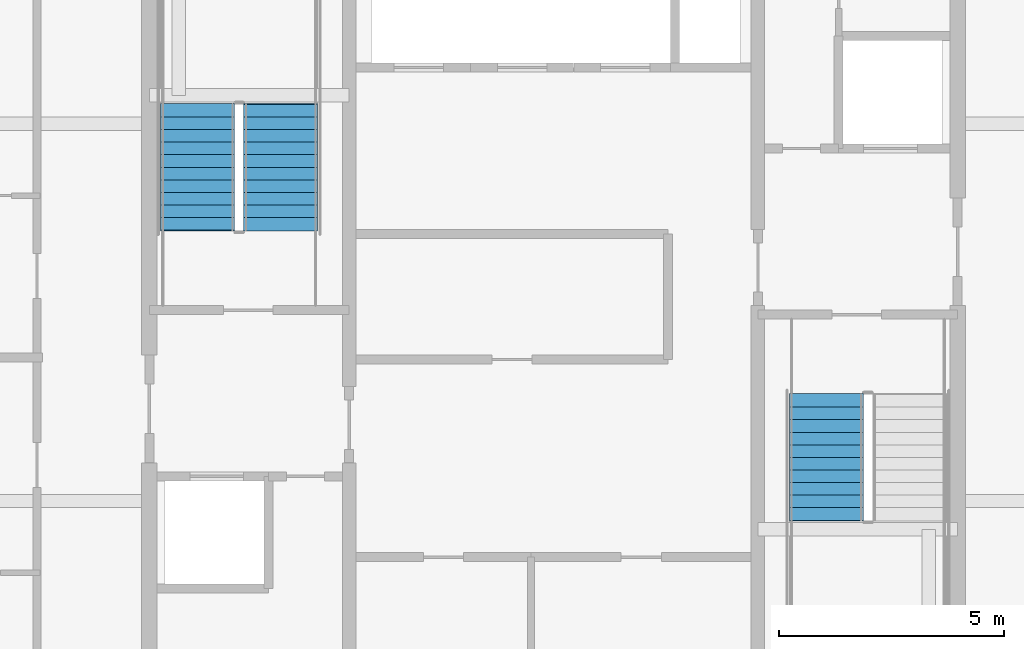
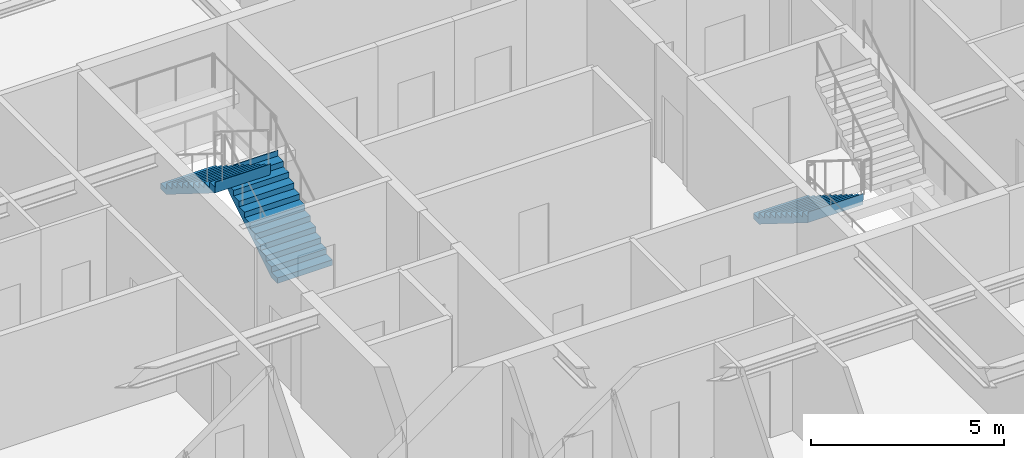
# One storey, part 32 of 38: 3 stair flights, 2 elements without a shape of their own.
"""IFC4 building model written with IfcOpenShell, lengths in metres."""

from ifc_helpers import new_model, si_unit, direction, frame, origin, place, context, subcontext, project, spatial, polygons, material, type_object, element, aggregate, save


model = new_model("IFC4")

# Units and contexts
model_context = context("Model", 3, precision=1e-05, world=origin(), true_north=direction((0.0, 1.0)))
body_context = subcontext(model_context, "Body", "Model", "MODEL_VIEW")
ifc_project = project(units=[si_unit("LENGTHUNIT", "METRE"), si_unit("AREAUNIT", "SQUARE_METRE"), si_unit("VOLUMEUNIT", "CUBIC_METRE"), si_unit("PLANEANGLEUNIT", "RADIAN"), si_unit("MASSUNIT", "GRAM", prefix="KILO")], contexts=[model_context])

# Site, building, storey
site_placement = place(None, origin())
site = spatial("IfcSite", under=ifc_project, at=site_placement, CompositionType="ELEMENT")
building_placement = place(site_placement, origin())
building = spatial("IfcBuilding", under=site, at=building_placement, Name="Serunith Strait Residences", CompositionType="ELEMENT")
storey_placement = place(building_placement, frame((0.0, 0.0, 268.199951171875)))
storey = spatial("IfcBuildingStorey", under=building, at=storey_placement, Name="L67", CompositionType="ELEMENT", Elevation=268.199951171875)

# Stair, stair flights
ifc_material = material(Name="Concrete C50/60", Category="concrete")
stair_type_1 = type_object("IfcStairType", Name="STR-CORE-1", PredefinedType="HALF_TURN_STAIR", material=ifc_material)
stair_1_placement = place(storey_placement, origin())
stair_1 = element("IfcStair", 1, at=stair_1_placement, inside=storey, type_object=stair_type_1, Name="L67 Protected Escape Stair ST-1", PredefinedType="HALF_TURN_STAIR")
stair_flight_type_1 = type_object("IfcStairFlightType", Name="FLT-CORE-1", PredefinedType="STRAIGHT", material=ifc_material)
stair_flight_1_placement = place(storey_placement, frame((26.324951171875, 27.030029296875, 0.0), z_axis=(0.0, 0.0, 1.0), x_axis=(0.0, 1.0, 0.0)))
stair_flight_1 = element("IfcStairFlight", 2, at=stair_flight_1_placement, type_object=stair_flight_type_1, Name="ST-1 flight 1", NumberOfRisers=11, NumberOfTreads=10, PredefinedType="STRAIGHT", RiserHeight=0.175, TreadLength=0.28, context=body_context, shape_type="Tessellation", body=[
    polygons([(-0.02001953125, -0.824951171875, 0.0), (-0.02001953125, -0.824951171875, 0.175048828125), (0.280029296875, -0.824951171875, 0.175048828125), (0.280029296875, -0.824951171875, 0.35009765625), (0.56005859375, -0.824951171875, 0.35009765625), (0.56005859375, -0.824951171875, 0.52490234375), (0.840087890625, -0.824951171875, 0.52490234375), (0.840087890625, -0.824951171875, 0.699951171875), (1.1201171875, -0.824951171875, 0.699951171875), (1.1201171875, -0.824951171875, 0.875), (1.39990234375, -0.824951171875, 0.875), (1.39990234375, -0.824951171875, 1.050048828125), (1.679931640625, -0.824951171875, 1.050048828125), (1.679931640625, -0.824951171875, 1.22509765625), (1.9599609375, -0.824951171875, 1.22509765625), (1.9599609375, -0.824951171875, 1.39990234375), (2.239990234375, -0.824951171875, 1.39990234375), (2.239990234375, -0.824951171875, 1.574951171875), (2.52001953125, -0.824951171875, 1.574951171875), (2.52001953125, -0.824951171875, 1.75), (2.800048828125, -0.824951171875, 1.75), (2.800048828125, -0.824951171875, 1.925048828125), (2.820068359375, -0.824951171875, 1.925048828125), (2.820068359375, -0.824951171875, 1.864990234375), (2.800048828125, -0.824951171875, 1.5732421875), (0.28271484375, -0.824951171875, 0.0), (-0.02001953125, -0.41259765625, 0.0), (-0.02001953125, -0.41259765625, 0.175048828125), (0.280029296875, -0.41259765625, 0.175048828125), (0.280029296875, -0.41259765625, 0.35009765625), (0.56005859375, -0.41259765625, 0.35009765625), (0.56005859375, -0.41259765625, 0.52490234375), (0.840087890625, -0.41259765625, 0.52490234375), (0.840087890625, -0.41259765625, 0.699951171875), (1.1201171875, -0.41259765625, 0.699951171875), (1.1201171875, -0.41259765625, 0.875), (1.39990234375, -0.41259765625, 0.875), (1.39990234375, -0.41259765625, 1.050048828125), (1.679931640625, -0.41259765625, 1.050048828125), (1.679931640625, -0.41259765625, 1.22509765625), (1.9599609375, -0.41259765625, 1.22509765625), (1.9599609375, -0.41259765625, 1.39990234375), (2.239990234375, -0.41259765625, 1.39990234375), (2.239990234375, -0.41259765625, 1.574951171875), (2.52001953125, -0.41259765625, 1.574951171875), (2.52001953125, -0.41259765625, 1.75), (2.800048828125, -0.41259765625, 1.75), (2.800048828125, -0.41259765625, 1.925048828125), (2.820068359375, -0.41259765625, 1.925048828125), (2.820068359375, -0.41259765625, 1.864990234375), (2.800048828125, -0.41259765625, 1.5732421875), (0.28271484375, -0.41259765625, 0.0), (-0.02001953125, 0.0, 0.0), (-0.02001953125, 0.0, 0.175048828125), (0.280029296875, 0.0, 0.175048828125), (0.280029296875, 0.0, 0.35009765625), (0.56005859375, 0.0, 0.35009765625), (0.56005859375, 0.0, 0.52490234375), (0.840087890625, 0.0, 0.52490234375), (0.840087890625, 0.0, 0.699951171875), (1.1201171875, 0.0, 0.699951171875), (1.1201171875, 0.0, 0.875), (1.39990234375, 0.0, 0.875), (1.39990234375, 0.0, 1.050048828125), (1.679931640625, 0.0, 1.050048828125), (1.679931640625, 0.0, 1.22509765625), (1.9599609375, 0.0, 1.22509765625), (1.9599609375, 0.0, 1.39990234375), (2.239990234375, 0.0, 1.39990234375), (2.239990234375, 0.0, 1.574951171875), (2.52001953125, 0.0, 1.574951171875), (2.52001953125, 0.0, 1.75), (2.800048828125, 0.0, 1.75), (2.800048828125, 0.0, 1.925048828125), (2.820068359375, 0.0, 1.925048828125), (2.820068359375, 0.0, 1.864990234375), (2.800048828125, 0.0, 1.5732421875), (0.28271484375, 0.0, 0.0), (-0.02001953125, 0.41259765625, 0.0), (-0.02001953125, 0.41259765625, 0.175048828125), (0.280029296875, 0.41259765625, 0.175048828125), (0.280029296875, 0.41259765625, 0.35009765625), (0.56005859375, 0.41259765625, 0.35009765625), (0.56005859375, 0.41259765625, 0.52490234375), (0.840087890625, 0.41259765625, 0.52490234375), (0.840087890625, 0.41259765625, 0.699951171875), (1.1201171875, 0.41259765625, 0.699951171875), (1.1201171875, 0.41259765625, 0.875), (1.39990234375, 0.41259765625, 0.875), (1.39990234375, 0.41259765625, 1.050048828125), (1.679931640625, 0.41259765625, 1.050048828125), (1.679931640625, 0.41259765625, 1.22509765625), (1.9599609375, 0.41259765625, 1.22509765625), (1.9599609375, 0.41259765625, 1.39990234375), (2.239990234375, 0.41259765625, 1.39990234375), (2.239990234375, 0.41259765625, 1.574951171875), (2.52001953125, 0.41259765625, 1.574951171875), (2.52001953125, 0.41259765625, 1.75), (2.800048828125, 0.41259765625, 1.75), (2.800048828125, 0.41259765625, 1.925048828125), (2.820068359375, 0.41259765625, 1.925048828125), (2.820068359375, 0.41259765625, 1.864990234375), (2.800048828125, 0.41259765625, 1.5732421875), (0.28271484375, 0.41259765625, 0.0), (-0.02001953125, 0.824951171875, 0.0), (-0.02001953125, 0.824951171875, 0.175048828125), (0.280029296875, 0.824951171875, 0.175048828125), (0.280029296875, 0.824951171875, 0.35009765625), (0.56005859375, 0.824951171875, 0.35009765625), (0.56005859375, 0.824951171875, 0.52490234375), (0.840087890625, 0.824951171875, 0.52490234375), (0.840087890625, 0.824951171875, 0.699951171875), (1.1201171875, 0.824951171875, 0.699951171875), (1.1201171875, 0.824951171875, 0.875), (1.39990234375, 0.824951171875, 0.875), (1.39990234375, 0.824951171875, 1.050048828125), (1.679931640625, 0.824951171875, 1.050048828125), (1.679931640625, 0.824951171875, 1.22509765625), (1.9599609375, 0.824951171875, 1.22509765625), (1.9599609375, 0.824951171875, 1.39990234375), (2.239990234375, 0.824951171875, 1.39990234375), (2.239990234375, 0.824951171875, 1.574951171875), (2.52001953125, 0.824951171875, 1.574951171875), (2.52001953125, 0.824951171875, 1.75), (2.800048828125, 0.824951171875, 1.75), (2.800048828125, 0.824951171875, 1.925048828125), (2.820068359375, 0.824951171875, 1.925048828125), (2.820068359375, 0.824951171875, 1.864990234375), (2.800048828125, 0.824951171875, 1.5732421875), (0.28271484375, 0.824951171875, 0.0)], [[[1, 2, 28, 27]], [[2, 3, 29, 28]], [[3, 4, 30, 29]], [[4, 5, 31, 30]], [[5, 6, 32, 31]], [[6, 7, 33, 32]], [[7, 8, 34, 33]], [[8, 9, 35, 34]], [[9, 10, 36, 35]], [[10, 11, 37, 36]], [[11, 12, 38, 37]], [[12, 13, 39, 38]], [[13, 14, 40, 39]], [[14, 15, 41, 40]], [[15, 16, 42, 41]], [[16, 17, 43, 42]], [[17, 18, 44, 43]], [[18, 19, 45, 44]], [[19, 20, 46, 45]], [[20, 21, 47, 46]], [[21, 22, 48, 47]], [[22, 23, 49, 48]], [[23, 24, 50, 49]], [[24, 25, 51, 50]], [[25, 26, 52, 51]], [[26, 1, 27, 52]], [[27, 28, 54, 53]], [[28, 29, 55, 54]], [[29, 30, 56, 55]], [[30, 31, 57, 56]], [[31, 32, 58, 57]], [[32, 33, 59, 58]], [[33, 34, 60, 59]], [[34, 35, 61, 60]], [[35, 36, 62, 61]], [[36, 37, 63, 62]], [[37, 38, 64, 63]], [[38, 39, 65, 64]], [[39, 40, 66, 65]], [[40, 41, 67, 66]], [[41, 42, 68, 67]], [[42, 43, 69, 68]], [[43, 44, 70, 69]], [[44, 45, 71, 70]], [[45, 46, 72, 71]], [[46, 47, 73, 72]], [[47, 48, 74, 73]], [[48, 49, 75, 74]], [[49, 50, 76, 75]], [[50, 51, 77, 76]], [[51, 52, 78, 77]], [[52, 27, 53, 78]], [[53, 54, 80, 79]], [[54, 55, 81, 80]], [[55, 56, 82, 81]], [[56, 57, 83, 82]], [[57, 58, 84, 83]], [[58, 59, 85, 84]], [[59, 60, 86, 85]], [[60, 61, 87, 86]], [[61, 62, 88, 87]], [[62, 63, 89, 88]], [[63, 64, 90, 89]], [[64, 65, 91, 90]], [[65, 66, 92, 91]], [[66, 67, 93, 92]], [[67, 68, 94, 93]], [[68, 69, 95, 94]], [[69, 70, 96, 95]], [[70, 71, 97, 96]], [[71, 72, 98, 97]], [[72, 73, 99, 98]], [[73, 74, 100, 99]], [[74, 75, 101, 100]], [[75, 76, 102, 101]], [[76, 77, 103, 102]], [[77, 78, 104, 103]], [[78, 53, 79, 104]], [[79, 80, 106, 105]], [[80, 81, 107, 106]], [[81, 82, 108, 107]], [[82, 83, 109, 108]], [[83, 84, 110, 109]], [[84, 85, 111, 110]], [[85, 86, 112, 111]], [[86, 87, 113, 112]], [[87, 88, 114, 113]], [[88, 89, 115, 114]], [[89, 90, 116, 115]], [[90, 91, 117, 116]], [[91, 92, 118, 117]], [[92, 93, 119, 118]], [[93, 94, 120, 119]], [[94, 95, 121, 120]], [[95, 96, 122, 121]], [[96, 97, 123, 122]], [[97, 98, 124, 123]], [[98, 99, 125, 124]], [[99, 100, 126, 125]], [[100, 101, 127, 126]], [[101, 102, 128, 127]], [[102, 103, 129, 128]], [[103, 104, 130, 129]], [[104, 79, 105, 130]], [[26, 25, 24, 23, 22, 21, 20, 19, 18, 17, 16, 15, 14, 13, 12, 11, 10, 9, 8, 7, 6, 5, 4, 3, 2, 1]], [[105, 106, 107, 108, 109, 110, 111, 112, 113, 114, 115, 116, 117, 118, 119, 120, 121, 122, 123, 124, 125, 126, 127, 128, 129, 130]]], closed=True),
])
stair_flight_2_placement = place(storey_placement, frame((24.47509765625, 29.830078125, 1.925048828125), z_axis=(0.0, 0.0, 1.0), x_axis=(0.0, -1.0, 0.0)))
stair_flight_2 = element("IfcStairFlight", 3, at=stair_flight_2_placement, type_object=stair_flight_type_1, Name="ST-1 flight 2", NumberOfRisers=11, NumberOfTreads=10, PredefinedType="STRAIGHT", RiserHeight=0.175, TreadLength=0.28, context=body_context, shape_type="Tessellation", body=[
    polygons([(-0.02001953125, -0.824951171875, 0.0), (-0.02001953125, -0.824951171875, 0.175048828125), (0.280029296875, -0.824951171875, 0.175048828125), (0.280029296875, -0.824951171875, 0.35009765625), (0.56005859375, -0.824951171875, 0.35009765625), (0.56005859375, -0.824951171875, 0.52490234375), (0.840087890625, -0.824951171875, 0.52490234375), (0.840087890625, -0.824951171875, 0.699951171875), (1.1201171875, -0.824951171875, 0.699951171875), (1.1201171875, -0.824951171875, 0.875), (1.39990234375, -0.824951171875, 0.875), (1.39990234375, -0.824951171875, 1.050048828125), (1.679931640625, -0.824951171875, 1.050048828125), (1.679931640625, -0.824951171875, 1.22509765625), (1.9599609375, -0.824951171875, 1.22509765625), (1.9599609375, -0.824951171875, 1.39990234375), (2.239990234375, -0.824951171875, 1.39990234375), (2.239990234375, -0.824951171875, 1.574951171875), (2.52001953125, -0.824951171875, 1.574951171875), (2.52001953125, -0.824951171875, 1.75), (2.800048828125, -0.824951171875, 1.75), (2.800048828125, -0.824951171875, 1.925048828125), (2.820068359375, -0.824951171875, 1.925048828125), (2.820068359375, -0.824951171875, 1.864990234375), (2.800048828125, -0.824951171875, 1.5732421875), (0.28271484375, -0.824951171875, 0.0), (-0.02001953125, -0.41259765625, 0.0), (-0.02001953125, -0.41259765625, 0.175048828125), (0.280029296875, -0.41259765625, 0.175048828125), (0.280029296875, -0.41259765625, 0.35009765625), (0.56005859375, -0.41259765625, 0.35009765625), (0.56005859375, -0.41259765625, 0.52490234375), (0.840087890625, -0.41259765625, 0.52490234375), (0.840087890625, -0.41259765625, 0.699951171875), (1.1201171875, -0.41259765625, 0.699951171875), (1.1201171875, -0.41259765625, 0.875), (1.39990234375, -0.41259765625, 0.875), (1.39990234375, -0.41259765625, 1.050048828125), (1.679931640625, -0.41259765625, 1.050048828125), (1.679931640625, -0.41259765625, 1.22509765625), (1.9599609375, -0.41259765625, 1.22509765625), (1.9599609375, -0.41259765625, 1.39990234375), (2.239990234375, -0.41259765625, 1.39990234375), (2.239990234375, -0.41259765625, 1.574951171875), (2.52001953125, -0.41259765625, 1.574951171875), (2.52001953125, -0.41259765625, 1.75), (2.800048828125, -0.41259765625, 1.75), (2.800048828125, -0.41259765625, 1.925048828125), (2.820068359375, -0.41259765625, 1.925048828125), (2.820068359375, -0.41259765625, 1.864990234375), (2.800048828125, -0.41259765625, 1.5732421875), (0.28271484375, -0.41259765625, 0.0), (-0.02001953125, 0.0, 0.0), (-0.02001953125, 0.0, 0.175048828125), (0.280029296875, 0.0, 0.175048828125), (0.280029296875, 0.0, 0.35009765625), (0.56005859375, 0.0, 0.35009765625), (0.56005859375, 0.0, 0.52490234375), (0.840087890625, 0.0, 0.52490234375), (0.840087890625, 0.0, 0.699951171875), (1.1201171875, 0.0, 0.699951171875), (1.1201171875, 0.0, 0.875), (1.39990234375, 0.0, 0.875), (1.39990234375, 0.0, 1.050048828125), (1.679931640625, 0.0, 1.050048828125), (1.679931640625, 0.0, 1.22509765625), (1.9599609375, 0.0, 1.22509765625), (1.9599609375, 0.0, 1.39990234375), (2.239990234375, 0.0, 1.39990234375), (2.239990234375, 0.0, 1.574951171875), (2.52001953125, 0.0, 1.574951171875), (2.52001953125, 0.0, 1.75), (2.800048828125, 0.0, 1.75), (2.800048828125, 0.0, 1.925048828125), (2.820068359375, 0.0, 1.925048828125), (2.820068359375, 0.0, 1.864990234375), (2.800048828125, 0.0, 1.5732421875), (0.28271484375, 0.0, 0.0), (-0.02001953125, 0.41259765625, 0.0), (-0.02001953125, 0.41259765625, 0.175048828125), (0.280029296875, 0.41259765625, 0.175048828125), (0.280029296875, 0.41259765625, 0.35009765625), (0.56005859375, 0.41259765625, 0.35009765625), (0.56005859375, 0.41259765625, 0.52490234375), (0.840087890625, 0.41259765625, 0.52490234375), (0.840087890625, 0.41259765625, 0.699951171875), (1.1201171875, 0.41259765625, 0.699951171875), (1.1201171875, 0.41259765625, 0.875), (1.39990234375, 0.41259765625, 0.875), (1.39990234375, 0.41259765625, 1.050048828125), (1.679931640625, 0.41259765625, 1.050048828125), (1.679931640625, 0.41259765625, 1.22509765625), (1.9599609375, 0.41259765625, 1.22509765625), (1.9599609375, 0.41259765625, 1.39990234375), (2.239990234375, 0.41259765625, 1.39990234375), (2.239990234375, 0.41259765625, 1.574951171875), (2.52001953125, 0.41259765625, 1.574951171875), (2.52001953125, 0.41259765625, 1.75), (2.800048828125, 0.41259765625, 1.75), (2.800048828125, 0.41259765625, 1.925048828125), (2.820068359375, 0.41259765625, 1.925048828125), (2.820068359375, 0.41259765625, 1.864990234375), (2.800048828125, 0.41259765625, 1.5732421875), (0.28271484375, 0.41259765625, 0.0), (-0.02001953125, 0.824951171875, 0.0), (-0.02001953125, 0.824951171875, 0.175048828125), (0.280029296875, 0.824951171875, 0.175048828125), (0.280029296875, 0.824951171875, 0.35009765625), (0.56005859375, 0.824951171875, 0.35009765625), (0.56005859375, 0.824951171875, 0.52490234375), (0.840087890625, 0.824951171875, 0.52490234375), (0.840087890625, 0.824951171875, 0.699951171875), (1.1201171875, 0.824951171875, 0.699951171875), (1.1201171875, 0.824951171875, 0.875), (1.39990234375, 0.824951171875, 0.875), (1.39990234375, 0.824951171875, 1.050048828125), (1.679931640625, 0.824951171875, 1.050048828125), (1.679931640625, 0.824951171875, 1.22509765625), (1.9599609375, 0.824951171875, 1.22509765625), (1.9599609375, 0.824951171875, 1.39990234375), (2.239990234375, 0.824951171875, 1.39990234375), (2.239990234375, 0.824951171875, 1.574951171875), (2.52001953125, 0.824951171875, 1.574951171875), (2.52001953125, 0.824951171875, 1.75), (2.800048828125, 0.824951171875, 1.75), (2.800048828125, 0.824951171875, 1.925048828125), (2.820068359375, 0.824951171875, 1.925048828125), (2.820068359375, 0.824951171875, 1.864990234375), (2.800048828125, 0.824951171875, 1.5732421875), (0.28271484375, 0.824951171875, 0.0)], [[[1, 2, 28, 27]], [[2, 3, 29, 28]], [[3, 4, 30, 29]], [[4, 5, 31, 30]], [[5, 6, 32, 31]], [[6, 7, 33, 32]], [[7, 8, 34, 33]], [[8, 9, 35, 34]], [[9, 10, 36, 35]], [[10, 11, 37, 36]], [[11, 12, 38, 37]], [[12, 13, 39, 38]], [[13, 14, 40, 39]], [[14, 15, 41, 40]], [[15, 16, 42, 41]], [[16, 17, 43, 42]], [[17, 18, 44, 43]], [[18, 19, 45, 44]], [[19, 20, 46, 45]], [[20, 21, 47, 46]], [[21, 22, 48, 47]], [[22, 23, 49, 48]], [[23, 24, 50, 49]], [[24, 25, 51, 50]], [[25, 26, 52, 51]], [[26, 1, 27, 52]], [[27, 28, 54, 53]], [[28, 29, 55, 54]], [[29, 30, 56, 55]], [[30, 31, 57, 56]], [[31, 32, 58, 57]], [[32, 33, 59, 58]], [[33, 34, 60, 59]], [[34, 35, 61, 60]], [[35, 36, 62, 61]], [[36, 37, 63, 62]], [[37, 38, 64, 63]], [[38, 39, 65, 64]], [[39, 40, 66, 65]], [[40, 41, 67, 66]], [[41, 42, 68, 67]], [[42, 43, 69, 68]], [[43, 44, 70, 69]], [[44, 45, 71, 70]], [[45, 46, 72, 71]], [[46, 47, 73, 72]], [[47, 48, 74, 73]], [[48, 49, 75, 74]], [[49, 50, 76, 75]], [[50, 51, 77, 76]], [[51, 52, 78, 77]], [[52, 27, 53, 78]], [[53, 54, 80, 79]], [[54, 55, 81, 80]], [[55, 56, 82, 81]], [[56, 57, 83, 82]], [[57, 58, 84, 83]], [[58, 59, 85, 84]], [[59, 60, 86, 85]], [[60, 61, 87, 86]], [[61, 62, 88, 87]], [[62, 63, 89, 88]], [[63, 64, 90, 89]], [[64, 65, 91, 90]], [[65, 66, 92, 91]], [[66, 67, 93, 92]], [[67, 68, 94, 93]], [[68, 69, 95, 94]], [[69, 70, 96, 95]], [[70, 71, 97, 96]], [[71, 72, 98, 97]], [[72, 73, 99, 98]], [[73, 74, 100, 99]], [[74, 75, 101, 100]], [[75, 76, 102, 101]], [[76, 77, 103, 102]], [[77, 78, 104, 103]], [[78, 53, 79, 104]], [[79, 80, 106, 105]], [[80, 81, 107, 106]], [[81, 82, 108, 107]], [[82, 83, 109, 108]], [[83, 84, 110, 109]], [[84, 85, 111, 110]], [[85, 86, 112, 111]], [[86, 87, 113, 112]], [[87, 88, 114, 113]], [[88, 89, 115, 114]], [[89, 90, 116, 115]], [[90, 91, 117, 116]], [[91, 92, 118, 117]], [[92, 93, 119, 118]], [[93, 94, 120, 119]], [[94, 95, 121, 120]], [[95, 96, 122, 121]], [[96, 97, 123, 122]], [[97, 98, 124, 123]], [[98, 99, 125, 124]], [[99, 100, 126, 125]], [[100, 101, 127, 126]], [[101, 102, 128, 127]], [[102, 103, 129, 128]], [[103, 104, 130, 129]], [[104, 79, 105, 130]], [[26, 25, 24, 23, 22, 21, 20, 19, 18, 17, 16, 15, 14, 13, 12, 11, 10, 9, 8, 7, 6, 5, 4, 3, 2, 1]], [[105, 106, 107, 108, 109, 110, 111, 112, 113, 114, 115, 116, 117, 118, 119, 120, 121, 122, 123, 124, 125, 126, 127, 128, 129, 130]]], closed=True),
])
aggregate(stair_1, [stair_flight_1, stair_flight_2])

# Stair, stair flight
stair_type_2 = type_object("IfcStairType", Name="STR-CORE-2", PredefinedType="HALF_TURN_STAIR", material=ifc_material)
stair_2_placement = place(storey_placement, origin())
stair_2 = element("IfcStair", 4, at=stair_2_placement, inside=storey, type_object=stair_type_2, Name="L67 Protected Escape Stair ST-2", PredefinedType="HALF_TURN_STAIR")
stair_flight_type_2 = type_object("IfcStairFlightType", Name="FLT-CORE-2", PredefinedType="STRAIGHT", material=ifc_material)
stair_flight_3_placement = place(storey_placement, frame((38.47509765625, 23.3701171875, 0.0), z_axis=(0.0, 0.0, 1.0), x_axis=(0.0, -1.0, 0.0)))
stair_flight_3 = element("IfcStairFlight", 5, at=stair_flight_3_placement, type_object=stair_flight_type_2, Name="ST-2 flight 1", NumberOfRisers=11, NumberOfTreads=10, PredefinedType="STRAIGHT", RiserHeight=0.175, TreadLength=0.28, context=body_context, shape_type="Tessellation", body=[
    polygons([(-0.02001953125, -0.824951171875, 0.0), (-0.02001953125, -0.824951171875, 0.175048828125), (0.280029296875, -0.824951171875, 0.175048828125), (0.280029296875, -0.824951171875, 0.35009765625), (0.56005859375, -0.824951171875, 0.35009765625), (0.56005859375, -0.824951171875, 0.52490234375), (0.840087890625, -0.824951171875, 0.52490234375), (0.840087890625, -0.824951171875, 0.699951171875), (1.1201171875, -0.824951171875, 0.699951171875), (1.1201171875, -0.824951171875, 0.875), (1.39990234375, -0.824951171875, 0.875), (1.39990234375, -0.824951171875, 1.050048828125), (1.679931640625, -0.824951171875, 1.050048828125), (1.679931640625, -0.824951171875, 1.22509765625), (1.9599609375, -0.824951171875, 1.22509765625), (1.9599609375, -0.824951171875, 1.39990234375), (2.239990234375, -0.824951171875, 1.39990234375), (2.239990234375, -0.824951171875, 1.574951171875), (2.52001953125, -0.824951171875, 1.574951171875), (2.52001953125, -0.824951171875, 1.75), (2.800048828125, -0.824951171875, 1.75), (2.800048828125, -0.824951171875, 1.925048828125), (2.820068359375, -0.824951171875, 1.925048828125), (2.820068359375, -0.824951171875, 1.864990234375), (2.800048828125, -0.824951171875, 1.5732421875), (0.28271484375, -0.824951171875, 0.0), (-0.02001953125, -0.41259765625, 0.0), (-0.02001953125, -0.41259765625, 0.175048828125), (0.280029296875, -0.41259765625, 0.175048828125), (0.280029296875, -0.41259765625, 0.35009765625), (0.56005859375, -0.41259765625, 0.35009765625), (0.56005859375, -0.41259765625, 0.52490234375), (0.840087890625, -0.41259765625, 0.52490234375), (0.840087890625, -0.41259765625, 0.699951171875), (1.1201171875, -0.41259765625, 0.699951171875), (1.1201171875, -0.41259765625, 0.875), (1.39990234375, -0.41259765625, 0.875), (1.39990234375, -0.41259765625, 1.050048828125), (1.679931640625, -0.41259765625, 1.050048828125), (1.679931640625, -0.41259765625, 1.22509765625), (1.9599609375, -0.41259765625, 1.22509765625), (1.9599609375, -0.41259765625, 1.39990234375), (2.239990234375, -0.41259765625, 1.39990234375), (2.239990234375, -0.41259765625, 1.574951171875), (2.52001953125, -0.41259765625, 1.574951171875), (2.52001953125, -0.41259765625, 1.75), (2.800048828125, -0.41259765625, 1.75), (2.800048828125, -0.41259765625, 1.925048828125), (2.820068359375, -0.41259765625, 1.925048828125), (2.820068359375, -0.41259765625, 1.864990234375), (2.800048828125, -0.41259765625, 1.5732421875), (0.28271484375, -0.41259765625, 0.0), (-0.02001953125, 0.0, 0.0), (-0.02001953125, 0.0, 0.175048828125), (0.280029296875, 0.0, 0.175048828125), (0.280029296875, 0.0, 0.35009765625), (0.56005859375, 0.0, 0.35009765625), (0.56005859375, 0.0, 0.52490234375), (0.840087890625, 0.0, 0.52490234375), (0.840087890625, 0.0, 0.699951171875), (1.1201171875, 0.0, 0.699951171875), (1.1201171875, 0.0, 0.875), (1.39990234375, 0.0, 0.875), (1.39990234375, 0.0, 1.050048828125), (1.679931640625, 0.0, 1.050048828125), (1.679931640625, 0.0, 1.22509765625), (1.9599609375, 0.0, 1.22509765625), (1.9599609375, 0.0, 1.39990234375), (2.239990234375, 0.0, 1.39990234375), (2.239990234375, 0.0, 1.574951171875), (2.52001953125, 0.0, 1.574951171875), (2.52001953125, 0.0, 1.75), (2.800048828125, 0.0, 1.75), (2.800048828125, 0.0, 1.925048828125), (2.820068359375, 0.0, 1.925048828125), (2.820068359375, 0.0, 1.864990234375), (2.800048828125, 0.0, 1.5732421875), (0.28271484375, 0.0, 0.0), (-0.02001953125, 0.41259765625, 0.0), (-0.02001953125, 0.41259765625, 0.175048828125), (0.280029296875, 0.41259765625, 0.175048828125), (0.280029296875, 0.41259765625, 0.35009765625), (0.56005859375, 0.41259765625, 0.35009765625), (0.56005859375, 0.41259765625, 0.52490234375), (0.840087890625, 0.41259765625, 0.52490234375), (0.840087890625, 0.41259765625, 0.699951171875), (1.1201171875, 0.41259765625, 0.699951171875), (1.1201171875, 0.41259765625, 0.875), (1.39990234375, 0.41259765625, 0.875), (1.39990234375, 0.41259765625, 1.050048828125), (1.679931640625, 0.41259765625, 1.050048828125), (1.679931640625, 0.41259765625, 1.22509765625), (1.9599609375, 0.41259765625, 1.22509765625), (1.9599609375, 0.41259765625, 1.39990234375), (2.239990234375, 0.41259765625, 1.39990234375), (2.239990234375, 0.41259765625, 1.574951171875), (2.52001953125, 0.41259765625, 1.574951171875), (2.52001953125, 0.41259765625, 1.75), (2.800048828125, 0.41259765625, 1.75), (2.800048828125, 0.41259765625, 1.925048828125), (2.820068359375, 0.41259765625, 1.925048828125), (2.820068359375, 0.41259765625, 1.864990234375), (2.800048828125, 0.41259765625, 1.5732421875), (0.28271484375, 0.41259765625, 0.0), (-0.02001953125, 0.824951171875, 0.0), (-0.02001953125, 0.824951171875, 0.175048828125), (0.280029296875, 0.824951171875, 0.175048828125), (0.280029296875, 0.824951171875, 0.35009765625), (0.56005859375, 0.824951171875, 0.35009765625), (0.56005859375, 0.824951171875, 0.52490234375), (0.840087890625, 0.824951171875, 0.52490234375), (0.840087890625, 0.824951171875, 0.699951171875), (1.1201171875, 0.824951171875, 0.699951171875), (1.1201171875, 0.824951171875, 0.875), (1.39990234375, 0.824951171875, 0.875), (1.39990234375, 0.824951171875, 1.050048828125), (1.679931640625, 0.824951171875, 1.050048828125), (1.679931640625, 0.824951171875, 1.22509765625), (1.9599609375, 0.824951171875, 1.22509765625), (1.9599609375, 0.824951171875, 1.39990234375), (2.239990234375, 0.824951171875, 1.39990234375), (2.239990234375, 0.824951171875, 1.574951171875), (2.52001953125, 0.824951171875, 1.574951171875), (2.52001953125, 0.824951171875, 1.75), (2.800048828125, 0.824951171875, 1.75), (2.800048828125, 0.824951171875, 1.925048828125), (2.820068359375, 0.824951171875, 1.925048828125), (2.820068359375, 0.824951171875, 1.864990234375), (2.800048828125, 0.824951171875, 1.5732421875), (0.28271484375, 0.824951171875, 0.0)], [[[1, 2, 28, 27]], [[2, 3, 29, 28]], [[3, 4, 30, 29]], [[4, 5, 31, 30]], [[5, 6, 32, 31]], [[6, 7, 33, 32]], [[7, 8, 34, 33]], [[8, 9, 35, 34]], [[9, 10, 36, 35]], [[10, 11, 37, 36]], [[11, 12, 38, 37]], [[12, 13, 39, 38]], [[13, 14, 40, 39]], [[14, 15, 41, 40]], [[15, 16, 42, 41]], [[16, 17, 43, 42]], [[17, 18, 44, 43]], [[18, 19, 45, 44]], [[19, 20, 46, 45]], [[20, 21, 47, 46]], [[21, 22, 48, 47]], [[22, 23, 49, 48]], [[23, 24, 50, 49]], [[24, 25, 51, 50]], [[25, 26, 52, 51]], [[26, 1, 27, 52]], [[27, 28, 54, 53]], [[28, 29, 55, 54]], [[29, 30, 56, 55]], [[30, 31, 57, 56]], [[31, 32, 58, 57]], [[32, 33, 59, 58]], [[33, 34, 60, 59]], [[34, 35, 61, 60]], [[35, 36, 62, 61]], [[36, 37, 63, 62]], [[37, 38, 64, 63]], [[38, 39, 65, 64]], [[39, 40, 66, 65]], [[40, 41, 67, 66]], [[41, 42, 68, 67]], [[42, 43, 69, 68]], [[43, 44, 70, 69]], [[44, 45, 71, 70]], [[45, 46, 72, 71]], [[46, 47, 73, 72]], [[47, 48, 74, 73]], [[48, 49, 75, 74]], [[49, 50, 76, 75]], [[50, 51, 77, 76]], [[51, 52, 78, 77]], [[52, 27, 53, 78]], [[53, 54, 80, 79]], [[54, 55, 81, 80]], [[55, 56, 82, 81]], [[56, 57, 83, 82]], [[57, 58, 84, 83]], [[58, 59, 85, 84]], [[59, 60, 86, 85]], [[60, 61, 87, 86]], [[61, 62, 88, 87]], [[62, 63, 89, 88]], [[63, 64, 90, 89]], [[64, 65, 91, 90]], [[65, 66, 92, 91]], [[66, 67, 93, 92]], [[67, 68, 94, 93]], [[68, 69, 95, 94]], [[69, 70, 96, 95]], [[70, 71, 97, 96]], [[71, 72, 98, 97]], [[72, 73, 99, 98]], [[73, 74, 100, 99]], [[74, 75, 101, 100]], [[75, 76, 102, 101]], [[76, 77, 103, 102]], [[77, 78, 104, 103]], [[78, 53, 79, 104]], [[79, 80, 106, 105]], [[80, 81, 107, 106]], [[81, 82, 108, 107]], [[82, 83, 109, 108]], [[83, 84, 110, 109]], [[84, 85, 111, 110]], [[85, 86, 112, 111]], [[86, 87, 113, 112]], [[87, 88, 114, 113]], [[88, 89, 115, 114]], [[89, 90, 116, 115]], [[90, 91, 117, 116]], [[91, 92, 118, 117]], [[92, 93, 119, 118]], [[93, 94, 120, 119]], [[94, 95, 121, 120]], [[95, 96, 122, 121]], [[96, 97, 123, 122]], [[97, 98, 124, 123]], [[98, 99, 125, 124]], [[99, 100, 126, 125]], [[100, 101, 127, 126]], [[101, 102, 128, 127]], [[102, 103, 129, 128]], [[103, 104, 130, 129]], [[104, 79, 105, 130]], [[26, 25, 24, 23, 22, 21, 20, 19, 18, 17, 16, 15, 14, 13, 12, 11, 10, 9, 8, 7, 6, 5, 4, 3, 2, 1]], [[105, 106, 107, 108, 109, 110, 111, 112, 113, 114, 115, 116, 117, 118, 119, 120, 121, 122, 123, 124, 125, 126, 127, 128, 129, 130]]], closed=True),
])
aggregate(stair_2, [stair_flight_3])

save(model, "model.ifc")
